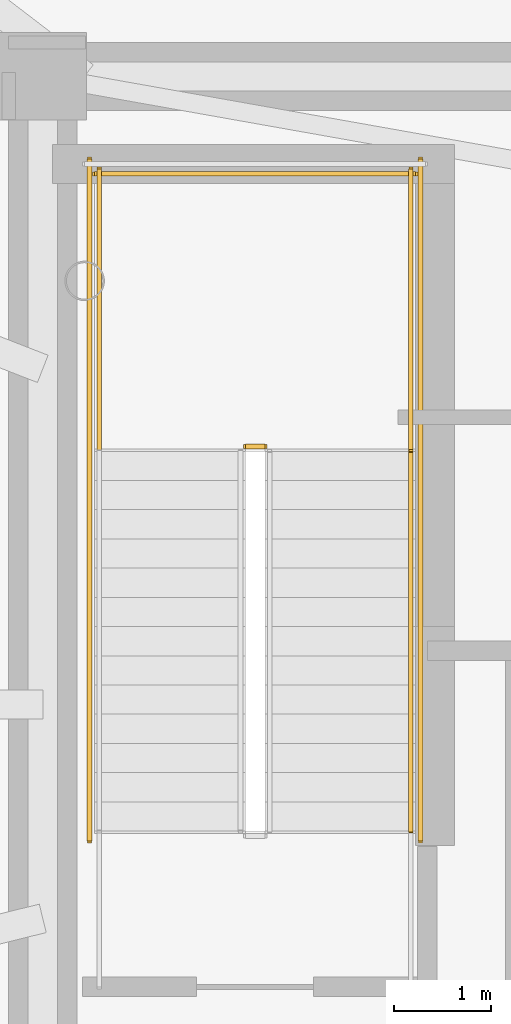
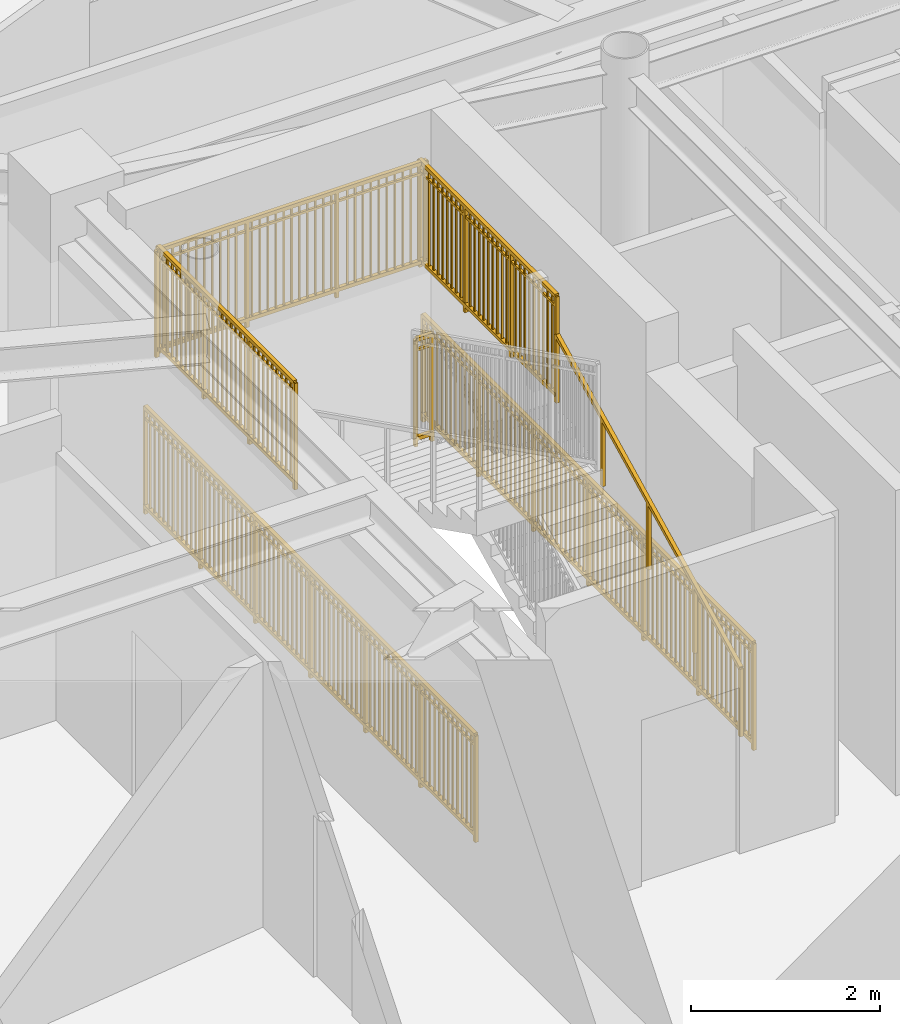
# One storey, part 23 of 24: 7 railings.
"""IFC4 building model written with IfcOpenShell, lengths in metres."""

from ifc_helpers import new_model, si_unit, direction, frame, origin, origin_2d, place, context, subcontext, project, spatial, rectangle, extrude, source, transform, mapped, material, type_object, element, save


model = new_model("IFC4")

# Units and contexts
model_context = context("Model", 3, precision=1e-05, world=origin(), true_north=direction((0.0, 1.0)))
body_context = subcontext(model_context, "Body", "Model", "MODEL_VIEW")
ifc_project = project(units=[si_unit("LENGTHUNIT", "METRE"), si_unit("AREAUNIT", "SQUARE_METRE"), si_unit("VOLUMEUNIT", "CUBIC_METRE"), si_unit("PLANEANGLEUNIT", "RADIAN"), si_unit("MASSUNIT", "GRAM", prefix="KILO")], contexts=[model_context])

# Site, building, storey
site_placement = place(None, origin())
site = spatial("IfcSite", under=ifc_project, at=site_placement, CompositionType="ELEMENT")
building_placement = place(site_placement, origin())
building = spatial("IfcBuilding", under=site, at=building_placement, Name="Linh Dai School and Residence Tower", CompositionType="ELEMENT")
storey_placement = place(building_placement, frame((0.0, 0.0, 355.199951171875)))
storey = spatial("IfcBuildingStorey", under=building, at=storey_placement, Name="L88", CompositionType="ELEMENT", Elevation=355.199951171875)

# Railings
ifc_material_1 = material(Name="Structural Steel S355JR", Category="steel")
railing_type_1 = type_object("IfcRailingType", Name="RL-ST-GUARD-1400", PredefinedType="GUARDRAIL", material=ifc_material_1)
shared_shape_1 = source(origin(), body_context, "Body", "SweptSolid", [
    extrude(rectangle(XDim=0.048095703125, YDim=0.048095703125, at=origin_2d()), frame((0.0, 0.0, 1.3759765625), z_axis=(-1.0, 0.0, 0.0), x_axis=(0.0, -1.0, 0.0)), (0.0, 0.0, 1.0), 0.199951171875),
    extrude(rectangle(XDim=0.048095703125, YDim=0.048095703125, at=origin_2d()), frame((0.0, 0.0, 0.10009765625), z_axis=(-1.0, 0.0, 0.0), x_axis=(0.0, -1.0, 0.0)), (0.0, 0.0, 1.0), 0.199951171875),
    extrude(rectangle(XDim=0.030029296875, YDim=0.030029296875, at=origin_2d()), frame((0.0, 0.0, 1.239990234375), z_axis=(-1.0, 0.0, 0.0), x_axis=(0.0, -1.0, 0.0)), (0.0, 0.0, 1.0), 0.199951171875),
    extrude(rectangle(XDim=0.0419921875, YDim=0.0419921875, at=origin_2d()), origin(), (0.0, 0.0, 1.0), 1.3759765625),
    extrude(rectangle(XDim=0.0419921875, YDim=0.0419921875, at=origin_2d()), frame((-0.199951171875, 0.0, 0.0)), (0.0, 0.0, 1.0), 1.3759765625),
])
railing_1_placement = place(storey_placement, frame((29.429931640625, 29.64990234375, 2.10009765625)))
element("IfcRailing", 1, at=railing_1_placement, inside=storey, type_object=railing_type_1, Name="L88 ST1 stair guard 2", PredefinedType="GUARDRAIL", context=body_context, shape_type="MappedRepresentation", body=[
    mapped(shared_shape_1, transform((0.0, 0.0, 0.0), x_axis=(1.0, 0.0, 0.0), y_axis=(0.0, 1.0, 0.0), z_axis=(0.0, 0.0, 1.0), scale=1.0)),
])
shared_shape_2 = source(origin(), body_context, "Body", "SweptSolid", [
    extrude(rectangle(XDim=0.048095703125, YDim=0.048095703125, at=origin_2d()), frame((0.0, 0.0, 1.3759765625), z_axis=(-1.0, 0.0, 0.0), x_axis=(0.0, -1.0, 0.0)), (0.0, 0.0, 1.0), 3.300048828125),
    extrude(rectangle(XDim=0.048095703125, YDim=0.048095703125, at=origin_2d()), frame((0.0, 0.0, 0.10009765625), z_axis=(-1.0, 0.0, 0.0), x_axis=(0.0, -1.0, 0.0)), (0.0, 0.0, 1.0), 3.300048828125),
    extrude(rectangle(XDim=0.030029296875, YDim=0.030029296875, at=origin_2d()), frame((0.0, 0.0, 1.239990234375), z_axis=(-1.0, 0.0, 0.0), x_axis=(0.0, -1.0, 0.0)), (0.0, 0.0, 1.0), 3.300048828125),
    extrude(rectangle(XDim=0.02001953125, YDim=0.02001953125, at=origin_2d()), frame((-0.09716796875, 0.0, 0.10009765625)), (0.0, 0.0, 1.0), 1.251708984375),
    extrude(rectangle(XDim=0.02001953125, YDim=0.02001953125, at=origin_2d()), frame((-0.194091796875, 0.0, 0.10009765625)), (0.0, 0.0, 1.0), 1.251708984375),
    extrude(rectangle(XDim=0.02001953125, YDim=0.02001953125, at=origin_2d()), frame((-0.291259765625, 0.0, 0.10009765625)), (0.0, 0.0, 1.0), 1.251708984375),
    extrude(rectangle(XDim=0.02001953125, YDim=0.02001953125, at=origin_2d()), frame((-0.38818359375, 0.0, 0.10009765625)), (0.0, 0.0, 1.0), 1.251708984375),
    extrude(rectangle(XDim=0.02001953125, YDim=0.02001953125, at=origin_2d()), frame((-0.4853515625, 0.0, 0.10009765625)), (0.0, 0.0, 1.0), 1.251708984375),
    extrude(rectangle(XDim=0.02001953125, YDim=0.02001953125, at=origin_2d()), frame((-0.582275390625, 0.0, 0.10009765625)), (0.0, 0.0, 1.0), 1.251708984375),
    extrude(rectangle(XDim=0.02001953125, YDim=0.02001953125, at=origin_2d()), frame((-0.679443359375, 0.0, 0.10009765625)), (0.0, 0.0, 1.0), 1.251708984375),
    extrude(rectangle(XDim=0.02001953125, YDim=0.02001953125, at=origin_2d()), frame((-0.7763671875, 0.0, 0.10009765625)), (0.0, 0.0, 1.0), 1.251708984375),
    extrude(rectangle(XDim=0.02001953125, YDim=0.02001953125, at=origin_2d()), frame((-0.87353515625, 0.0, 0.10009765625)), (0.0, 0.0, 1.0), 1.251708984375),
    extrude(rectangle(XDim=0.02001953125, YDim=0.02001953125, at=origin_2d()), frame((-0.970703125, 0.0, 0.10009765625)), (0.0, 0.0, 1.0), 1.251708984375),
    extrude(rectangle(XDim=0.02001953125, YDim=0.02001953125, at=origin_2d()), frame((-1.164794921875, 0.0, 0.10009765625)), (0.0, 0.0, 1.0), 1.251708984375),
    extrude(rectangle(XDim=0.02001953125, YDim=0.02001953125, at=origin_2d()), frame((-1.26171875, 0.0, 0.10009765625)), (0.0, 0.0, 1.0), 1.251708984375),
    extrude(rectangle(XDim=0.02001953125, YDim=0.02001953125, at=origin_2d()), frame((-1.35888671875, 0.0, 0.10009765625)), (0.0, 0.0, 1.0), 1.251708984375),
    extrude(rectangle(XDim=0.02001953125, YDim=0.02001953125, at=origin_2d()), frame((-1.455810546875, 0.0, 0.10009765625)), (0.0, 0.0, 1.0), 1.251708984375),
    extrude(rectangle(XDim=0.02001953125, YDim=0.02001953125, at=origin_2d()), frame((-1.552978515625, 0.0, 0.10009765625)), (0.0, 0.0, 1.0), 1.251708984375),
    extrude(rectangle(XDim=0.02001953125, YDim=0.02001953125, at=origin_2d()), frame((-1.64990234375, 0.0, 0.10009765625)), (0.0, 0.0, 1.0), 1.251708984375),
    extrude(rectangle(XDim=0.02001953125, YDim=0.02001953125, at=origin_2d()), frame((-1.7470703125, 0.0, 0.10009765625)), (0.0, 0.0, 1.0), 1.251708984375),
    extrude(rectangle(XDim=0.02001953125, YDim=0.02001953125, at=origin_2d()), frame((-1.84423828125, 0.0, 0.10009765625)), (0.0, 0.0, 1.0), 1.251708984375),
    extrude(rectangle(XDim=0.02001953125, YDim=0.02001953125, at=origin_2d()), frame((-1.941162109375, 0.0, 0.10009765625)), (0.0, 0.0, 1.0), 1.251708984375),
    extrude(rectangle(XDim=0.02001953125, YDim=0.02001953125, at=origin_2d()), frame((-2.038330078125, 0.0, 0.10009765625)), (0.0, 0.0, 1.0), 1.251708984375),
    extrude(rectangle(XDim=0.02001953125, YDim=0.02001953125, at=origin_2d()), frame((-2.13525390625, 0.0, 0.10009765625)), (0.0, 0.0, 1.0), 1.251708984375),
    extrude(rectangle(XDim=0.02001953125, YDim=0.02001953125, at=origin_2d()), frame((-2.329345703125, 0.0, 0.10009765625)), (0.0, 0.0, 1.0), 1.251708984375),
    extrude(rectangle(XDim=0.02001953125, YDim=0.02001953125, at=origin_2d()), frame((-2.426513671875, 0.0, 0.10009765625)), (0.0, 0.0, 1.0), 1.251708984375),
    extrude(rectangle(XDim=0.02001953125, YDim=0.02001953125, at=origin_2d()), frame((-2.523681640625, 0.0, 0.10009765625)), (0.0, 0.0, 1.0), 1.251708984375),
    extrude(rectangle(XDim=0.02001953125, YDim=0.02001953125, at=origin_2d()), frame((-2.62060546875, 0.0, 0.10009765625)), (0.0, 0.0, 1.0), 1.251708984375),
    extrude(rectangle(XDim=0.02001953125, YDim=0.02001953125, at=origin_2d()), frame((-2.7177734375, 0.0, 0.10009765625)), (0.0, 0.0, 1.0), 1.251708984375),
    extrude(rectangle(XDim=0.02001953125, YDim=0.02001953125, at=origin_2d()), frame((-2.814697265625, 0.0, 0.10009765625)), (0.0, 0.0, 1.0), 1.251708984375),
    extrude(rectangle(XDim=0.02001953125, YDim=0.02001953125, at=origin_2d()), frame((-2.911865234375, 0.0, 0.10009765625)), (0.0, 0.0, 1.0), 1.251708984375),
    extrude(rectangle(XDim=0.02001953125, YDim=0.02001953125, at=origin_2d()), frame((-3.0087890625, 0.0, 0.10009765625)), (0.0, 0.0, 1.0), 1.251708984375),
    extrude(rectangle(XDim=0.02001953125, YDim=0.02001953125, at=origin_2d()), frame((-3.10595703125, 0.0, 0.10009765625)), (0.0, 0.0, 1.0), 1.251708984375),
    extrude(rectangle(XDim=0.02001953125, YDim=0.02001953125, at=origin_2d()), frame((-3.202880859375, 0.0, 0.10009765625)), (0.0, 0.0, 1.0), 1.251708984375),
    extrude(rectangle(XDim=0.0419921875, YDim=0.0419921875, at=origin_2d()), origin(), (0.0, 0.0, 1.0), 1.3759765625),
    extrude(rectangle(XDim=0.0419921875, YDim=0.0419921875, at=origin_2d()), frame((-1.10009765625, 0.0, 0.0)), (0.0, 0.0, 1.0), 1.3759765625),
    extrude(rectangle(XDim=0.0419921875, YDim=0.0419921875, at=origin_2d()), frame((-2.199951171875, 0.0, 0.0)), (0.0, 0.0, 1.0), 1.3759765625),
    extrude(rectangle(XDim=0.0419921875, YDim=0.0419921875, at=origin_2d()), frame((-3.300048828125, 0.0, 0.0)), (0.0, 0.0, 1.0), 1.3759765625),
])
railing_2_placement = place(storey_placement, frame((30.97998046875, 32.449951171875, 2.10009765625)))
element("IfcRailing", 2, at=railing_2_placement, inside=storey, type_object=railing_type_1, Name="L88 ST1 stair guard 5", PredefinedType="GUARDRAIL", context=body_context, shape_type="MappedRepresentation", body=[
    mapped(shared_shape_2, transform((0.0, 0.0, 0.0), x_axis=(1.0, 0.0, 0.0), y_axis=(0.0, 1.0, 0.0), z_axis=(0.0, 0.0, 1.0), scale=1.0)),
])
shared_shape_3 = source(origin(), body_context, "Body", "SweptSolid", [
    extrude(rectangle(XDim=0.048095703125, YDim=0.048095703125, at=origin_2d()), frame((0.0, 0.0, 1.3759765625), z_axis=(0.0, 1.0, 0.0), x_axis=(-1.0, 0.0, 0.0)), (0.0, 0.0, 1.0), 7.0),
    extrude(rectangle(XDim=0.048095703125, YDim=0.048095703125, at=origin_2d()), frame((0.0, 0.0, 0.10009765625), z_axis=(0.0, 1.0, 0.0), x_axis=(-1.0, 0.0, 0.0)), (0.0, 0.0, 1.0), 7.0),
    extrude(rectangle(XDim=0.030029296875, YDim=0.030029296875, at=origin_2d()), frame((0.0, 0.0, 1.239990234375), z_axis=(0.0, 1.0, 0.0), x_axis=(-1.0, 0.0, 0.0)), (0.0, 0.0, 1.0), 7.0),
    extrude(rectangle(XDim=0.02001953125, YDim=0.02001953125, at=origin_2d()), frame((0.0, 0.09716796875, 0.10009765625)), (0.0, 0.0, 1.0), 1.251708984375),
    extrude(rectangle(XDim=0.02001953125, YDim=0.02001953125, at=origin_2d()), frame((0.0, 0.1943359375, 0.10009765625)), (0.0, 0.0, 1.0), 1.251708984375),
    extrude(rectangle(XDim=0.02001953125, YDim=0.02001953125, at=origin_2d()), frame((0.0, 0.291748046875, 0.10009765625)), (0.0, 0.0, 1.0), 1.251708984375),
    extrude(rectangle(XDim=0.02001953125, YDim=0.02001953125, at=origin_2d()), frame((0.0, 0.388916015625, 0.10009765625)), (0.0, 0.0, 1.0), 1.251708984375),
    extrude(rectangle(XDim=0.02001953125, YDim=0.02001953125, at=origin_2d()), frame((0.0, 0.486083984375, 0.10009765625)), (0.0, 0.0, 1.0), 1.251708984375),
    extrude(rectangle(XDim=0.02001953125, YDim=0.02001953125, at=origin_2d()), frame((0.0, 0.583251953125, 0.10009765625)), (0.0, 0.0, 1.0), 1.251708984375),
    extrude(rectangle(XDim=0.02001953125, YDim=0.02001953125, at=origin_2d()), frame((0.0, 0.6806640625, 0.10009765625)), (0.0, 0.0, 1.0), 1.251708984375),
    extrude(rectangle(XDim=0.02001953125, YDim=0.02001953125, at=origin_2d()), frame((0.0, 0.77783203125, 0.10009765625)), (0.0, 0.0, 1.0), 1.251708984375),
    extrude(rectangle(XDim=0.02001953125, YDim=0.02001953125, at=origin_2d()), frame((0.0, 0.875, 0.10009765625)), (0.0, 0.0, 1.0), 1.251708984375),
    extrude(rectangle(XDim=0.02001953125, YDim=0.02001953125, at=origin_2d()), frame((0.0, 0.97216796875, 0.10009765625)), (0.0, 0.0, 1.0), 1.251708984375),
    extrude(rectangle(XDim=0.02001953125, YDim=0.02001953125, at=origin_2d()), frame((0.0, 1.0693359375, 0.10009765625)), (0.0, 0.0, 1.0), 1.251708984375),
    extrude(rectangle(XDim=0.02001953125, YDim=0.02001953125, at=origin_2d()), frame((0.0, 1.263916015625, 0.10009765625)), (0.0, 0.0, 1.0), 1.251708984375),
    extrude(rectangle(XDim=0.02001953125, YDim=0.02001953125, at=origin_2d()), frame((0.0, 1.361083984375, 0.10009765625)), (0.0, 0.0, 1.0), 1.251708984375),
    extrude(rectangle(XDim=0.02001953125, YDim=0.02001953125, at=origin_2d()), frame((0.0, 1.458251953125, 0.10009765625)), (0.0, 0.0, 1.0), 1.251708984375),
    extrude(rectangle(XDim=0.02001953125, YDim=0.02001953125, at=origin_2d()), frame((0.0, 1.5556640625, 0.10009765625)), (0.0, 0.0, 1.0), 1.251708984375),
    extrude(rectangle(XDim=0.02001953125, YDim=0.02001953125, at=origin_2d()), frame((0.0, 1.65283203125, 0.10009765625)), (0.0, 0.0, 1.0), 1.251708984375),
    extrude(rectangle(XDim=0.02001953125, YDim=0.02001953125, at=origin_2d()), frame((0.0, 1.75, 0.10009765625)), (0.0, 0.0, 1.0), 1.251708984375),
    extrude(rectangle(XDim=0.02001953125, YDim=0.02001953125, at=origin_2d()), frame((0.0, 1.84716796875, 0.10009765625)), (0.0, 0.0, 1.0), 1.251708984375),
    extrude(rectangle(XDim=0.02001953125, YDim=0.02001953125, at=origin_2d()), frame((0.0, 1.9443359375, 0.10009765625)), (0.0, 0.0, 1.0), 1.251708984375),
    extrude(rectangle(XDim=0.02001953125, YDim=0.02001953125, at=origin_2d()), frame((0.0, 2.041748046875, 0.10009765625)), (0.0, 0.0, 1.0), 1.251708984375),
    extrude(rectangle(XDim=0.02001953125, YDim=0.02001953125, at=origin_2d()), frame((0.0, 2.138916015625, 0.10009765625)), (0.0, 0.0, 1.0), 1.251708984375),
    extrude(rectangle(XDim=0.02001953125, YDim=0.02001953125, at=origin_2d()), frame((0.0, 2.236083984375, 0.10009765625)), (0.0, 0.0, 1.0), 1.251708984375),
    extrude(rectangle(XDim=0.02001953125, YDim=0.02001953125, at=origin_2d()), frame((0.0, 2.4306640625, 0.10009765625)), (0.0, 0.0, 1.0), 1.251708984375),
    extrude(rectangle(XDim=0.02001953125, YDim=0.02001953125, at=origin_2d()), frame((0.0, 2.52783203125, 0.10009765625)), (0.0, 0.0, 1.0), 1.251708984375),
    extrude(rectangle(XDim=0.02001953125, YDim=0.02001953125, at=origin_2d()), frame((0.0, 2.625, 0.10009765625)), (0.0, 0.0, 1.0), 1.251708984375),
    extrude(rectangle(XDim=0.02001953125, YDim=0.02001953125, at=origin_2d()), frame((0.0, 2.72216796875, 0.10009765625)), (0.0, 0.0, 1.0), 1.251708984375),
    extrude(rectangle(XDim=0.02001953125, YDim=0.02001953125, at=origin_2d()), frame((0.0, 2.8193359375, 0.10009765625)), (0.0, 0.0, 1.0), 1.251708984375),
    extrude(rectangle(XDim=0.02001953125, YDim=0.02001953125, at=origin_2d()), frame((0.0, 2.916748046875, 0.10009765625)), (0.0, 0.0, 1.0), 1.251708984375),
    extrude(rectangle(XDim=0.02001953125, YDim=0.02001953125, at=origin_2d()), frame((0.0, 3.013916015625, 0.10009765625)), (0.0, 0.0, 1.0), 1.251708984375),
    extrude(rectangle(XDim=0.02001953125, YDim=0.02001953125, at=origin_2d()), frame((0.0, 3.111083984375, 0.10009765625)), (0.0, 0.0, 1.0), 1.251708984375),
    extrude(rectangle(XDim=0.02001953125, YDim=0.02001953125, at=origin_2d()), frame((0.0, 3.208251953125, 0.10009765625)), (0.0, 0.0, 1.0), 1.251708984375),
    extrude(rectangle(XDim=0.02001953125, YDim=0.02001953125, at=origin_2d()), frame((0.0, 3.3056640625, 0.10009765625)), (0.0, 0.0, 1.0), 1.251708984375),
    extrude(rectangle(XDim=0.02001953125, YDim=0.02001953125, at=origin_2d()), frame((0.0, 3.40283203125, 0.10009765625)), (0.0, 0.0, 1.0), 1.251708984375),
    extrude(rectangle(XDim=0.02001953125, YDim=0.02001953125, at=origin_2d()), frame((0.0, 3.59716796875, 0.10009765625)), (0.0, 0.0, 1.0), 1.251708984375),
    extrude(rectangle(XDim=0.02001953125, YDim=0.02001953125, at=origin_2d()), frame((0.0, 3.6943359375, 0.10009765625)), (0.0, 0.0, 1.0), 1.251708984375),
    extrude(rectangle(XDim=0.02001953125, YDim=0.02001953125, at=origin_2d()), frame((0.0, 3.791748046875, 0.10009765625)), (0.0, 0.0, 1.0), 1.251708984375),
    extrude(rectangle(XDim=0.02001953125, YDim=0.02001953125, at=origin_2d()), frame((0.0, 3.888916015625, 0.10009765625)), (0.0, 0.0, 1.0), 1.251708984375),
    extrude(rectangle(XDim=0.02001953125, YDim=0.02001953125, at=origin_2d()), frame((0.0, 3.986083984375, 0.10009765625)), (0.0, 0.0, 1.0), 1.251708984375),
    extrude(rectangle(XDim=0.02001953125, YDim=0.02001953125, at=origin_2d()), frame((0.0, 4.083251953125, 0.10009765625)), (0.0, 0.0, 1.0), 1.251708984375),
    extrude(rectangle(XDim=0.02001953125, YDim=0.02001953125, at=origin_2d()), frame((0.0, 4.1806640625, 0.10009765625)), (0.0, 0.0, 1.0), 1.251708984375),
    extrude(rectangle(XDim=0.02001953125, YDim=0.02001953125, at=origin_2d()), frame((0.0, 4.27783203125, 0.10009765625)), (0.0, 0.0, 1.0), 1.251708984375),
    extrude(rectangle(XDim=0.02001953125, YDim=0.02001953125, at=origin_2d()), frame((0.0, 4.375, 0.10009765625)), (0.0, 0.0, 1.0), 1.251708984375),
    extrude(rectangle(XDim=0.02001953125, YDim=0.02001953125, at=origin_2d()), frame((0.0, 4.47216796875, 0.10009765625)), (0.0, 0.0, 1.0), 1.251708984375),
    extrude(rectangle(XDim=0.02001953125, YDim=0.02001953125, at=origin_2d()), frame((0.0, 4.5693359375, 0.10009765625)), (0.0, 0.0, 1.0), 1.251708984375),
    extrude(rectangle(XDim=0.02001953125, YDim=0.02001953125, at=origin_2d()), frame((0.0, 4.763916015625, 0.10009765625)), (0.0, 0.0, 1.0), 1.251708984375),
    extrude(rectangle(XDim=0.02001953125, YDim=0.02001953125, at=origin_2d()), frame((0.0, 4.861083984375, 0.10009765625)), (0.0, 0.0, 1.0), 1.251708984375),
    extrude(rectangle(XDim=0.02001953125, YDim=0.02001953125, at=origin_2d()), frame((0.0, 4.958251953125, 0.10009765625)), (0.0, 0.0, 1.0), 1.251708984375),
    extrude(rectangle(XDim=0.02001953125, YDim=0.02001953125, at=origin_2d()), frame((0.0, 5.0556640625, 0.10009765625)), (0.0, 0.0, 1.0), 1.251708984375),
    extrude(rectangle(XDim=0.02001953125, YDim=0.02001953125, at=origin_2d()), frame((0.0, 5.15283203125, 0.10009765625)), (0.0, 0.0, 1.0), 1.251708984375),
    extrude(rectangle(XDim=0.02001953125, YDim=0.02001953125, at=origin_2d()), frame((0.0, 5.25, 0.10009765625)), (0.0, 0.0, 1.0), 1.251708984375),
    extrude(rectangle(XDim=0.02001953125, YDim=0.02001953125, at=origin_2d()), frame((0.0, 5.34716796875, 0.10009765625)), (0.0, 0.0, 1.0), 1.251708984375),
    extrude(rectangle(XDim=0.02001953125, YDim=0.02001953125, at=origin_2d()), frame((0.0, 5.4443359375, 0.10009765625)), (0.0, 0.0, 1.0), 1.251708984375),
    extrude(rectangle(XDim=0.02001953125, YDim=0.02001953125, at=origin_2d()), frame((0.0, 5.541748046875, 0.10009765625)), (0.0, 0.0, 1.0), 1.251708984375),
    extrude(rectangle(XDim=0.02001953125, YDim=0.02001953125, at=origin_2d()), frame((0.0, 5.638916015625, 0.10009765625)), (0.0, 0.0, 1.0), 1.251708984375),
    extrude(rectangle(XDim=0.02001953125, YDim=0.02001953125, at=origin_2d()), frame((0.0, 5.736083984375, 0.10009765625)), (0.0, 0.0, 1.0), 1.251708984375),
    extrude(rectangle(XDim=0.02001953125, YDim=0.02001953125, at=origin_2d()), frame((0.0, 5.9306640625, 0.10009765625)), (0.0, 0.0, 1.0), 1.251708984375),
    extrude(rectangle(XDim=0.02001953125, YDim=0.02001953125, at=origin_2d()), frame((0.0, 6.02783203125, 0.10009765625)), (0.0, 0.0, 1.0), 1.251708984375),
    extrude(rectangle(XDim=0.02001953125, YDim=0.02001953125, at=origin_2d()), frame((0.0, 6.125, 0.10009765625)), (0.0, 0.0, 1.0), 1.251708984375),
    extrude(rectangle(XDim=0.02001953125, YDim=0.02001953125, at=origin_2d()), frame((0.0, 6.22216796875, 0.10009765625)), (0.0, 0.0, 1.0), 1.251708984375),
    extrude(rectangle(XDim=0.02001953125, YDim=0.02001953125, at=origin_2d()), frame((0.0, 6.3193359375, 0.10009765625)), (0.0, 0.0, 1.0), 1.251708984375),
    extrude(rectangle(XDim=0.02001953125, YDim=0.02001953125, at=origin_2d()), frame((0.0, 6.416748046875, 0.10009765625)), (0.0, 0.0, 1.0), 1.251708984375),
    extrude(rectangle(XDim=0.02001953125, YDim=0.02001953125, at=origin_2d()), frame((0.0, 6.513916015625, 0.10009765625)), (0.0, 0.0, 1.0), 1.251708984375),
    extrude(rectangle(XDim=0.02001953125, YDim=0.02001953125, at=origin_2d()), frame((0.0, 6.611083984375, 0.10009765625)), (0.0, 0.0, 1.0), 1.251708984375),
    extrude(rectangle(XDim=0.02001953125, YDim=0.02001953125, at=origin_2d()), frame((0.0, 6.708251953125, 0.10009765625)), (0.0, 0.0, 1.0), 1.251708984375),
    extrude(rectangle(XDim=0.02001953125, YDim=0.02001953125, at=origin_2d()), frame((0.0, 6.8056640625, 0.10009765625)), (0.0, 0.0, 1.0), 1.251708984375),
    extrude(rectangle(XDim=0.02001953125, YDim=0.02001953125, at=origin_2d()), frame((0.0, 6.90283203125, 0.10009765625)), (0.0, 0.0, 1.0), 1.251708984375),
    extrude(rectangle(XDim=0.0419921875, YDim=0.0419921875, at=origin_2d()), origin(), (0.0, 0.0, 1.0), 1.3759765625),
    extrude(rectangle(XDim=0.0419921875, YDim=0.0419921875, at=origin_2d()), frame((0.0, 1.166748046875, 0.0)), (0.0, 0.0, 1.0), 1.3759765625),
    extrude(rectangle(XDim=0.0419921875, YDim=0.0419921875, at=origin_2d()), frame((0.0, 2.333251953125, 0.0)), (0.0, 0.0, 1.0), 1.3759765625),
    extrude(rectangle(XDim=0.0419921875, YDim=0.0419921875, at=origin_2d()), frame((0.0, 3.5, 0.0)), (0.0, 0.0, 1.0), 1.3759765625),
    extrude(rectangle(XDim=0.0419921875, YDim=0.0419921875, at=origin_2d()), frame((0.0, 4.666748046875, 0.0)), (0.0, 0.0, 1.0), 1.3759765625),
    extrude(rectangle(XDim=0.0419921875, YDim=0.0419921875, at=origin_2d()), frame((0.0, 5.833251953125, 0.0)), (0.0, 0.0, 1.0), 1.3759765625),
    extrude(rectangle(XDim=0.0419921875, YDim=0.0419921875, at=origin_2d()), frame((0.0, 7.0, 0.0)), (0.0, 0.0, 1.0), 1.3759765625),
])
for number, where, name in (
    (3, (31.030029296875, 25.60009765625, 0.0), "L88 ST1 stair guard 10"),
    (4, (27.6298828125, 25.60009765625, 0.0), "L88 ST1 stair guard 11"),
):
    element("IfcRailing", number, at=place(storey_placement, frame(where)), inside=storey, type_object=railing_type_1, Name=name, PredefinedType="GUARDRAIL", context=body_context, shape_type="MappedRepresentation", body=[
        mapped(shared_shape_3, transform((0.0, 0.0, 0.0), x_axis=(1.0, 0.0, 0.0), y_axis=(0.0, 1.0, 0.0), z_axis=(0.0, 0.0, 1.0), scale=1.0)),
    ])
shared_shape_4 = source(origin(), body_context, "Body", "SweptSolid", [
    extrude(rectangle(XDim=0.048095703125, YDim=0.048095703125, at=origin_2d()), frame((0.0, 0.0, 1.3759765625), z_axis=(0.0, 1.0, 0.0), x_axis=(-1.0, 0.0, 0.0)), (0.0, 0.0, 1.0), 2.89990234375),
    extrude(rectangle(XDim=0.048095703125, YDim=0.048095703125, at=origin_2d()), frame((0.0, 0.0, 0.10009765625), z_axis=(0.0, 1.0, 0.0), x_axis=(-1.0, 0.0, 0.0)), (0.0, 0.0, 1.0), 2.89990234375),
    extrude(rectangle(XDim=0.030029296875, YDim=0.030029296875, at=origin_2d()), frame((0.0, 0.0, 1.239990234375), z_axis=(0.0, 1.0, 0.0), x_axis=(-1.0, 0.0, 0.0)), (0.0, 0.0, 1.0), 2.89990234375),
    extrude(rectangle(XDim=0.02001953125, YDim=0.02001953125, at=origin_2d()), frame((0.0, 0.0966796875, 0.10009765625)), (0.0, 0.0, 1.0), 1.251708984375),
    extrude(rectangle(XDim=0.02001953125, YDim=0.02001953125, at=origin_2d()), frame((0.0, 0.193359375, 0.10009765625)), (0.0, 0.0, 1.0), 1.251708984375),
    extrude(rectangle(XDim=0.02001953125, YDim=0.02001953125, at=origin_2d()), frame((0.0, 0.2900390625, 0.10009765625)), (0.0, 0.0, 1.0), 1.251708984375),
    extrude(rectangle(XDim=0.02001953125, YDim=0.02001953125, at=origin_2d()), frame((0.0, 0.38671875, 0.10009765625)), (0.0, 0.0, 1.0), 1.251708984375),
    extrude(rectangle(XDim=0.02001953125, YDim=0.02001953125, at=origin_2d()), frame((0.0, 0.4833984375, 0.10009765625)), (0.0, 0.0, 1.0), 1.251708984375),
    extrude(rectangle(XDim=0.02001953125, YDim=0.02001953125, at=origin_2d()), frame((0.0, 0.580078125, 0.10009765625)), (0.0, 0.0, 1.0), 1.251708984375),
    extrude(rectangle(XDim=0.02001953125, YDim=0.02001953125, at=origin_2d()), frame((0.0, 0.6767578125, 0.10009765625)), (0.0, 0.0, 1.0), 1.251708984375),
    extrude(rectangle(XDim=0.02001953125, YDim=0.02001953125, at=origin_2d()), frame((0.0, 0.773193359375, 0.10009765625)), (0.0, 0.0, 1.0), 1.251708984375),
    extrude(rectangle(XDim=0.02001953125, YDim=0.02001953125, at=origin_2d()), frame((0.0, 0.869873046875, 0.10009765625)), (0.0, 0.0, 1.0), 1.251708984375),
    extrude(rectangle(XDim=0.02001953125, YDim=0.02001953125, at=origin_2d()), frame((0.0, 1.063232421875, 0.10009765625)), (0.0, 0.0, 1.0), 1.251708984375),
    extrude(rectangle(XDim=0.02001953125, YDim=0.02001953125, at=origin_2d()), frame((0.0, 1.159912109375, 0.10009765625)), (0.0, 0.0, 1.0), 1.251708984375),
    extrude(rectangle(XDim=0.02001953125, YDim=0.02001953125, at=origin_2d()), frame((0.0, 1.256591796875, 0.10009765625)), (0.0, 0.0, 1.0), 1.251708984375),
    extrude(rectangle(XDim=0.02001953125, YDim=0.02001953125, at=origin_2d()), frame((0.0, 1.353271484375, 0.10009765625)), (0.0, 0.0, 1.0), 1.251708984375),
    extrude(rectangle(XDim=0.02001953125, YDim=0.02001953125, at=origin_2d()), frame((0.0, 1.449951171875, 0.10009765625)), (0.0, 0.0, 1.0), 1.251708984375),
    extrude(rectangle(XDim=0.02001953125, YDim=0.02001953125, at=origin_2d()), frame((0.0, 1.546630859375, 0.10009765625)), (0.0, 0.0, 1.0), 1.251708984375),
    extrude(rectangle(XDim=0.02001953125, YDim=0.02001953125, at=origin_2d()), frame((0.0, 1.643310546875, 0.10009765625)), (0.0, 0.0, 1.0), 1.251708984375),
    extrude(rectangle(XDim=0.02001953125, YDim=0.02001953125, at=origin_2d()), frame((0.0, 1.739990234375, 0.10009765625)), (0.0, 0.0, 1.0), 1.251708984375),
    extrude(rectangle(XDim=0.02001953125, YDim=0.02001953125, at=origin_2d()), frame((0.0, 1.836669921875, 0.10009765625)), (0.0, 0.0, 1.0), 1.251708984375),
    extrude(rectangle(XDim=0.02001953125, YDim=0.02001953125, at=origin_2d()), frame((0.0, 2.030029296875, 0.10009765625)), (0.0, 0.0, 1.0), 1.251708984375),
    extrude(rectangle(XDim=0.02001953125, YDim=0.02001953125, at=origin_2d()), frame((0.0, 2.126708984375, 0.10009765625)), (0.0, 0.0, 1.0), 1.251708984375),
    extrude(rectangle(XDim=0.02001953125, YDim=0.02001953125, at=origin_2d()), frame((0.0, 2.22314453125, 0.10009765625)), (0.0, 0.0, 1.0), 1.251708984375),
    extrude(rectangle(XDim=0.02001953125, YDim=0.02001953125, at=origin_2d()), frame((0.0, 2.31982421875, 0.10009765625)), (0.0, 0.0, 1.0), 1.251708984375),
    extrude(rectangle(XDim=0.02001953125, YDim=0.02001953125, at=origin_2d()), frame((0.0, 2.41650390625, 0.10009765625)), (0.0, 0.0, 1.0), 1.251708984375),
    extrude(rectangle(XDim=0.02001953125, YDim=0.02001953125, at=origin_2d()), frame((0.0, 2.51318359375, 0.10009765625)), (0.0, 0.0, 1.0), 1.251708984375),
    extrude(rectangle(XDim=0.02001953125, YDim=0.02001953125, at=origin_2d()), frame((0.0, 2.60986328125, 0.10009765625)), (0.0, 0.0, 1.0), 1.251708984375),
    extrude(rectangle(XDim=0.02001953125, YDim=0.02001953125, at=origin_2d()), frame((0.0, 2.70654296875, 0.10009765625)), (0.0, 0.0, 1.0), 1.251708984375),
    extrude(rectangle(XDim=0.02001953125, YDim=0.02001953125, at=origin_2d()), frame((0.0, 2.80322265625, 0.10009765625)), (0.0, 0.0, 1.0), 1.251708984375),
    extrude(rectangle(XDim=0.0419921875, YDim=0.0419921875, at=origin_2d()), origin(), (0.0, 0.0, 1.0), 1.3759765625),
    extrude(rectangle(XDim=0.0419921875, YDim=0.0419921875, at=origin_2d()), frame((0.0, 0.966552734375, 0.0)), (0.0, 0.0, 1.0), 1.3759765625),
    extrude(rectangle(XDim=0.0419921875, YDim=0.0419921875, at=origin_2d()), frame((0.0, 1.933349609375, 0.0)), (0.0, 0.0, 1.0), 1.3759765625),
    extrude(rectangle(XDim=0.0419921875, YDim=0.0419921875, at=origin_2d()), frame((0.0, 2.89990234375, 0.0)), (0.0, 0.0, 1.0), 1.3759765625),
])
for number, where, name in (
    (5, (30.929931640625, 29.60009765625, 2.10009765625), "L88 ST1 stair guard 3"),
    (6, (27.72998046875, 29.60009765625, 2.10009765625), "L88 ST1 stair guard 4"),
):
    element("IfcRailing", number, at=place(storey_placement, frame(where)), inside=storey, type_object=railing_type_1, Name=name, PredefinedType="GUARDRAIL", context=body_context, shape_type="MappedRepresentation", body=[
        mapped(shared_shape_4, transform((0.0, 0.0, 0.0), x_axis=(1.0, 0.0, 0.0), y_axis=(0.0, 1.0, 0.0), z_axis=(0.0, 0.0, 1.0), scale=1.0)),
    ])
ifc_material_2 = material(Name="Brushed Stainless Steel Handrail", Category="steel")
railing_type_2 = type_object("IfcRailingType", Name="RL-ST-HANDRAIL-900", PredefinedType="HANDRAIL", material=ifc_material_2)
shared_shape_5 = source(origin(), body_context, "Body", "SweptSolid", [
    extrude(rectangle(XDim=0.048095703125, YDim=0.048095703125, at=origin_2d()), frame((0.0, 0.0, 0.8759765625), z_axis=(0.0, 0.894438388696, 0.447191199406), x_axis=(-1.0, 0.0, 0.0)), (0.0, 0.0, 1.0), 4.3603515625),
    extrude(rectangle(XDim=0.0419921875, YDim=0.0419921875, at=origin_2d()), origin(), (0.0, 0.0, 1.0), 0.8759765625),
    extrude(rectangle(XDim=0.0419921875, YDim=0.0419921875, at=origin_2d()), frame((0.0, 0.97509765625, 0.487548828125)), (0.0, 0.0, 1.0), 0.8759765625),
    extrude(rectangle(XDim=0.0419921875, YDim=0.0419921875, at=origin_2d()), frame((0.0, 1.9501953125, 0.97509765625)), (0.0, 0.0, 1.0), 0.8759765625),
    extrude(rectangle(XDim=0.0419921875, YDim=0.0419921875, at=origin_2d()), frame((0.0, 2.925048828125, 1.46240234375)), (0.0, 0.0, 1.0), 0.8759765625),
    extrude(rectangle(XDim=0.0419921875, YDim=0.0419921875, at=origin_2d()), frame((0.0, 3.900146484375, 1.949951171875)), (0.0, 0.0, 1.0), 0.8759765625),
])
railing_3_placement = place(storey_placement, frame((30.929931640625, 25.699951171875, 0.150146484375)))
element("IfcRailing", 7, at=railing_3_placement, inside=storey, type_object=railing_type_2, Name="L88 ST1 stair handrail 1", PredefinedType="HANDRAIL", context=body_context, shape_type="MappedRepresentation", body=[
    mapped(shared_shape_5, transform((0.0, 0.0, 0.0), x_axis=(1.0, 0.0, 0.0), y_axis=(0.0, 1.0, 0.0), z_axis=(0.0, 0.0, 1.0), scale=1.0)),
])

save(model, "model.ifc")
